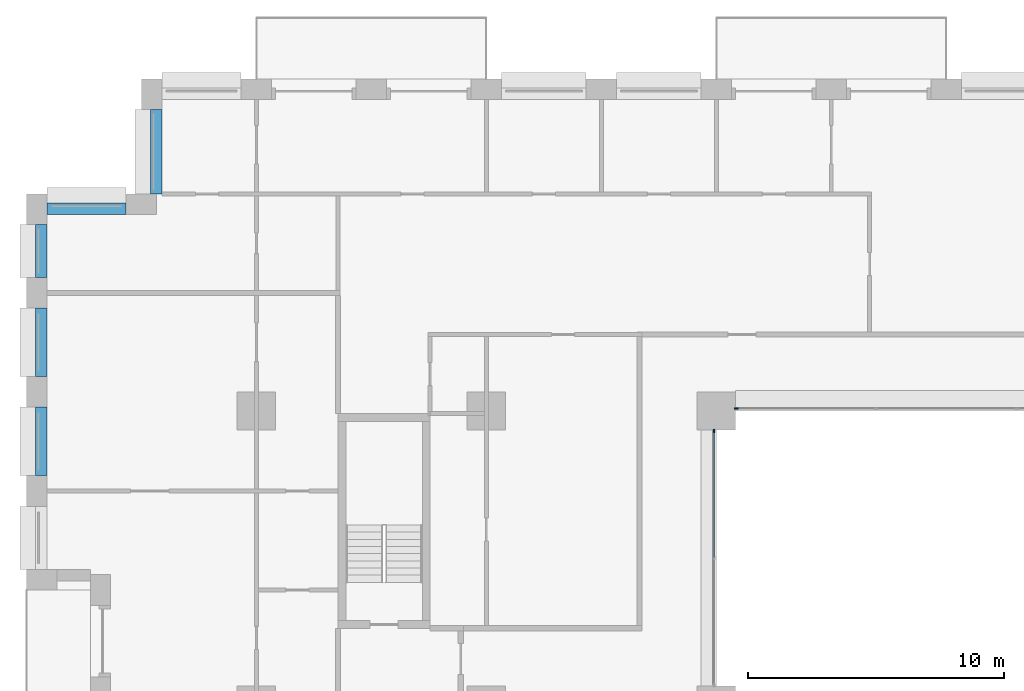
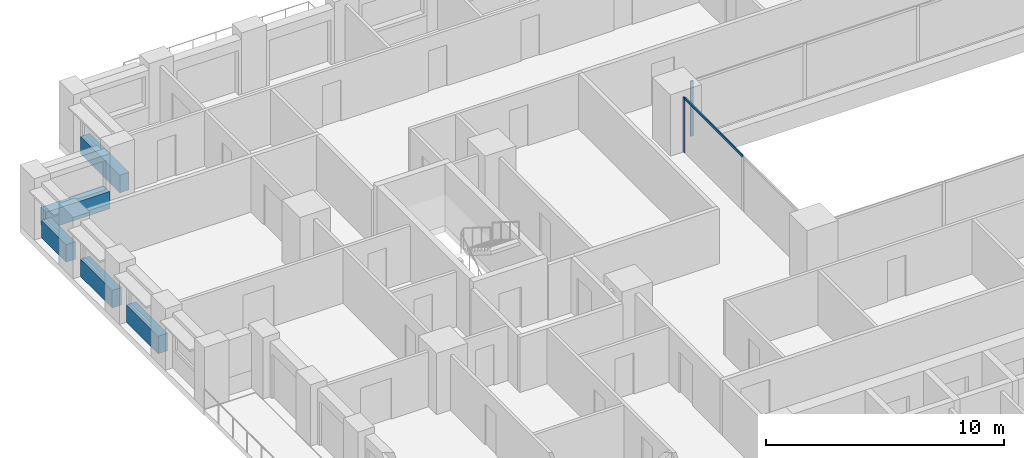
# One storey, part 5 of 20: 5 beams, 3 members, 2 elements without a shape of their own.
"""IFC4 building model written with IfcOpenShell, lengths in metres."""

from ifc_helpers import new_model, si_unit, direction, frame, origin, origin_2d, place, context, subcontext, project, spatial, rectangle, extrude, material, layer, layer_set, material_profile, profile_set, type_object, element, aggregate, save


model = new_model("IFC4")

# Units and contexts
model_context = context("Model", 3, precision=1e-05, world=origin(), true_north=direction((0.0, 1.0)))
body_context = subcontext(model_context, "Body", "Model", "MODEL_VIEW")
ifc_project = project(units=[si_unit("LENGTHUNIT", "METRE"), si_unit("AREAUNIT", "SQUARE_METRE"), si_unit("VOLUMEUNIT", "CUBIC_METRE"), si_unit("PLANEANGLEUNIT", "RADIAN"), si_unit("MASSUNIT", "GRAM", prefix="KILO")], contexts=[model_context])

# Site, building, storey
site_placement = place(None, origin())
site = spatial("IfcSite", under=ifc_project, at=site_placement, CompositionType="ELEMENT")
building_placement = place(site_placement, origin())
building = spatial("IfcBuilding", under=site, at=building_placement, Name="Brigalow Station Residences", CompositionType="ELEMENT")
storey_placement = place(building_placement, frame((0.0, 0.0, 54.14990234375)))
storey = spatial("IfcBuildingStorey", under=building, at=storey_placement, Name="L15", CompositionType="ELEMENT", Elevation=54.14990234375)

# Curtain wall, member
ifc_material_1 = material(Name="Aluminium", Category="aluminium")
ifc_layer = layer(ifc_material_1, 0.14990234375)
ifc_layer_set = layer_set([ifc_layer], Name="ATRIUM FIRE-RATED GLAZING CURTAIN WALL")
curtain_wall_type = type_object("IfcCurtainWallType", Name="ATRIUM FIRE-RATED GLAZING CURTAIN WALL", PredefinedType="NOTDEFINED", material=ifc_layer_set)
curtain_wall_1_placement = place(storey_placement, origin())
curtain_wall_1 = element("IfcCurtainWall", 1, at=curtain_wall_1_placement, inside=storey, type_object=curtain_wall_type, Name="L15/cw/atrium-N", PredefinedType="NOTDEFINED")
ifc_material_2 = material(Name="Aluminium", Category="aluminium")
ifc_material_profile_1 = material_profile(ifc_material_2, rectangle(XDim=0.06005859375, YDim=0.14990234375, at=origin_2d()), Name="ATRIUM FIRE-RATED GLAZING MULLION 60x150")
ifc_profile_set_1 = profile_set([ifc_material_profile_1], Name="Aluminium")
member_type_1 = type_object("IfcMemberType", Name="ATRIUM FIRE-RATED GLAZING MULLION 60x150", PredefinedType="MULLION", material=ifc_profile_set_1)
member_1_placement = place(storey_placement, frame((27.780029296875, 35.60009765625, 0.0), z_axis=(0.0, 0.0, 1.0), x_axis=(0.0, -1.0, 0.0)))
member_1 = element("IfcMember", 2, at=member_1_placement, type_object=member_type_1, Name="L15/cw/atrium-N/M03", PredefinedType="MULLION", context=body_context, shape_type="SweptSolid", body=[
    extrude(rectangle(XDim=0.06005859375, YDim=0.14990234375, at=origin_2d()), origin(), (0.0, 0.0, 1.0), 2.830078125),
])
aggregate(curtain_wall_1, [member_1])

# Curtain wall, members
curtain_wall_2_placement = place(storey_placement, origin())
curtain_wall_2 = element("IfcCurtainWall", 3, at=curtain_wall_2_placement, inside=storey, type_object=curtain_wall_type, Name="L15/cw/atrium-W", PredefinedType="NOTDEFINED")
member_2_placement = place(storey_placement, frame((26.89990234375, 34.719970703125, 0.0), z_axis=(0.0, 0.0, 1.0), x_axis=(1.0, 0.0, 0.0)))
member_2 = element("IfcMember", 4, at=member_2_placement, type_object=member_type_1, Name="L15/cw/atrium-W/M00", PredefinedType="MULLION", context=body_context, shape_type="SweptSolid", body=[
    extrude(rectangle(XDim=0.06005859375, YDim=0.14990234375, at=origin_2d()), origin(), (0.0, 0.0, 1.0), 2.830078125),
])
ifc_material_3 = material(Name="Aluminium", Category="aluminium")
ifc_material_profile_2 = material_profile(ifc_material_3, rectangle(XDim=0.06005859375, YDim=0.1201171875, at=origin_2d()), Name="ATRIUM FIRE-RATED GLAZING TRANSOM 60x120")
ifc_profile_set_2 = profile_set([ifc_material_profile_2], Name="Aluminium")
member_type_2 = type_object("IfcMemberType", Name="ATRIUM FIRE-RATED GLAZING TRANSOM 60x120", PredefinedType="USERDEFINED", material=ifc_profile_set_2)
member_3_placement = place(storey_placement, frame((26.89990234375, 34.68994140625, 2.800048828125), z_axis=(0.0, -1.0, 0.0), x_axis=(1.0, 0.0, 0.0)))
member_3 = element("IfcMember", 5, at=member_3_placement, type_object=member_type_2, Name="L15/cw/atrium-W/T00-00", ObjectType="TRANSOM", PredefinedType="USERDEFINED", context=body_context, shape_type="SweptSolid", body=[
    extrude(rectangle(XDim=0.06005859375, YDim=0.1201171875, at=origin_2d()), origin(), (0.0, 0.0, 1.0), 4.909912109375),
])
aggregate(curtain_wall_2, [member_2, member_3])

# Beams
ifc_material_4 = material(Name="Concrete C65", Category="concrete")
ifc_material_profile_3 = material_profile(ifc_material_4, rectangle(XDim=0.449951171875, YDim=0.89990234375, at=origin_2d()), Name="RC450x900")
ifc_profile_set_3 = profile_set([ifc_material_profile_3], Name="Concrete C65")
beam_type = type_object("IfcBeamType", Name="SPANDREL BEAM 450x900 C65", PredefinedType="SPANDREL", material=ifc_profile_set_3)
beam_1_placement = place(storey_placement, frame((5.074951171875, 47.300048828125, 0.4501953125), z_axis=(0.0, -1.0, 0.0), x_axis=(1.0, 0.0, 0.0)))
element("IfcBeam", 6, at=beam_1_placement, inside=storey, type_object=beam_type, Name="L15/spandrel/W-L15-40", PredefinedType="SPANDREL", context=body_context, shape_type="SweptSolid", body=[
    extrude(rectangle(XDim=0.449951171875, YDim=0.89990234375, at=origin_2d()), origin(), (0.0, 0.0, 1.0), 3.300048828125),
])
beam_2_placement = place(storey_placement, frame((3.89990234375, 43.425048828125, 0.4501953125), z_axis=(-1.0, 0.0, 0.0), x_axis=(0.0, -1.0, 0.0)))
element("IfcBeam", 7, at=beam_2_placement, inside=storey, type_object=beam_type, Name="L15/spandrel/W-L15-41", PredefinedType="SPANDREL", context=body_context, shape_type="SweptSolid", body=[
    extrude(rectangle(XDim=0.449951171875, YDim=0.89990234375, at=origin_2d()), origin(), (0.0, 0.0, 1.0), 3.099853515625),
])
beam_3_placement = place(storey_placement, frame((0.574951171875, 42.800048828125, 0.4501953125), z_axis=(0.0, -1.0, 0.0), x_axis=(1.0, 0.0, 0.0)))
element("IfcBeam", 8, at=beam_3_placement, inside=storey, type_object=beam_type, Name="L15/spandrel/W-L15-42", PredefinedType="SPANDREL", context=body_context, shape_type="SweptSolid", body=[
    extrude(rectangle(XDim=0.449951171875, YDim=0.89990234375, at=origin_2d()), origin(), (0.0, 0.0, 1.0), 2.074951171875),
])
for number, where, z_axis, x_axis, name in (
    (9, (0.574951171875, 39.52490234375, 0.4501953125), (0.0, -1.0, 0.0), (1.0, 0.0, 0.0), "L15/spandrel/W-L15-43"),
    (10, (0.574951171875, 35.64990234375, 0.4501953125), (0.0, -1.0, 0.0), (1.0, 0.0, 0.0), "L15/spandrel/W-L15-44"),
):
    element("IfcBeam", number, at=place(storey_placement, frame(where, z_axis=z_axis, x_axis=x_axis)), inside=storey, type_object=beam_type, Name=name, PredefinedType="SPANDREL", context=body_context, shape_type="SweptSolid", body=[
        extrude(rectangle(XDim=0.449951171875, YDim=0.89990234375, at=origin_2d()), origin(), (0.0, 0.0, 1.0), 2.6748046875),
    ])

save(model, "model.ifc")
